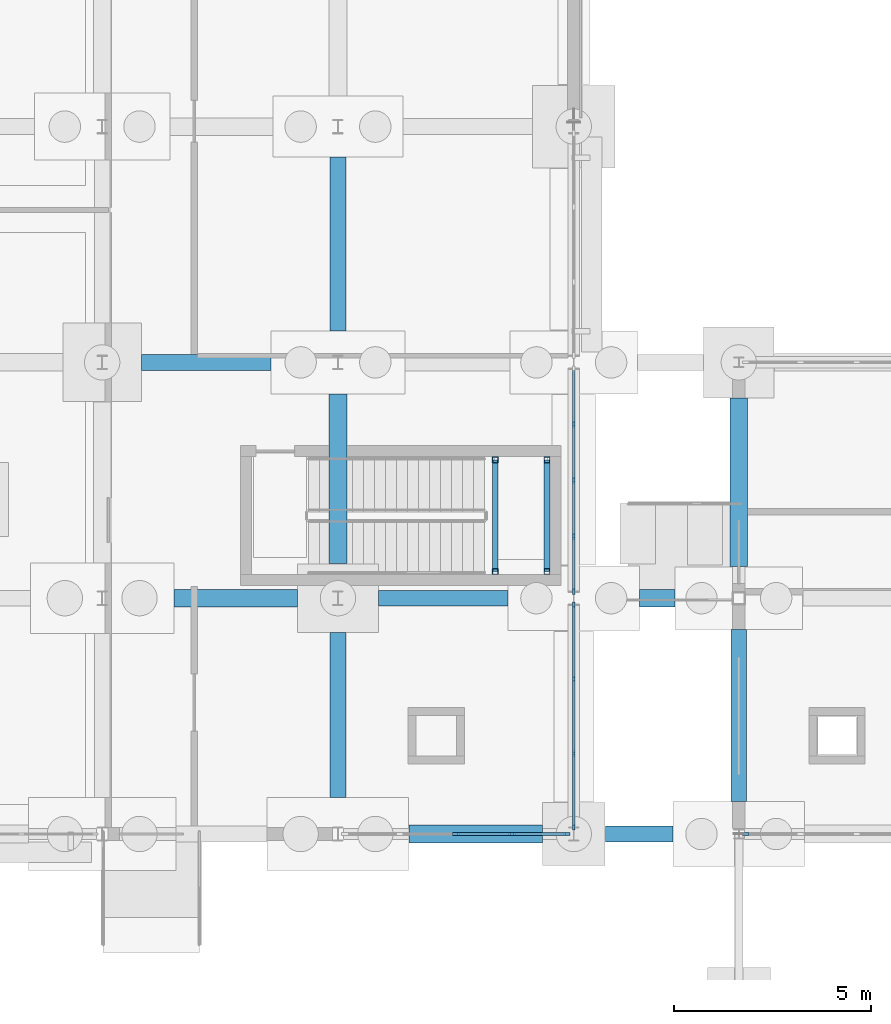
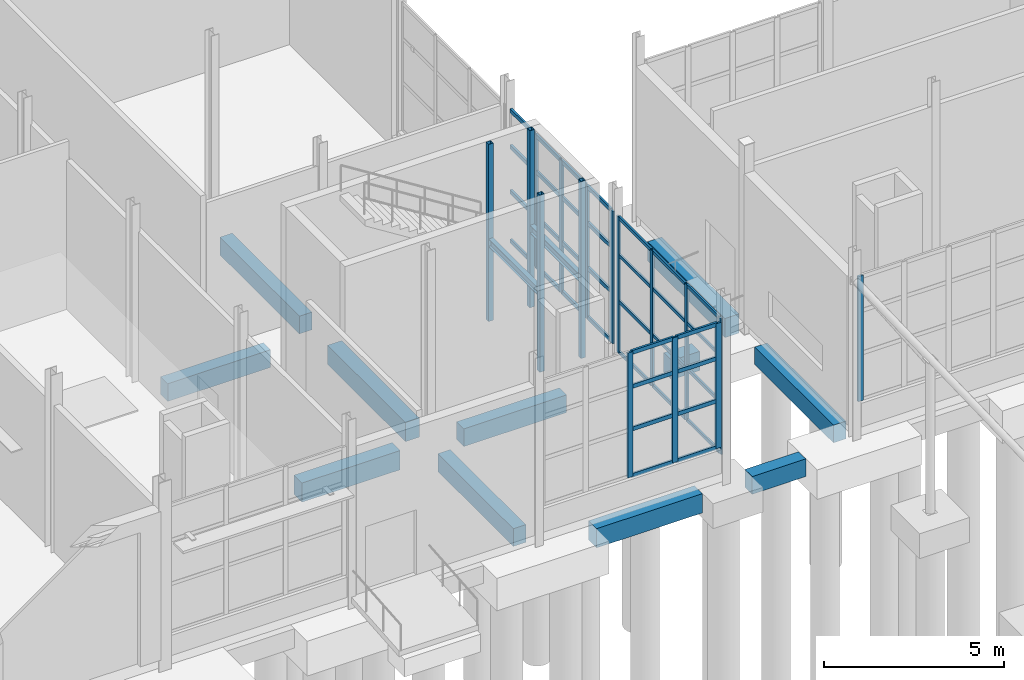
# One storey, part 43 of 120: 52 members, 13 beams, 4 elements without a shape of their own.
"""IFC4 building model written with IfcOpenShell, lengths in metres."""

from ifc_helpers import new_model, si_unit, direction, frame, origin, origin_2d, place, context, subcontext, project, spatial, rectangle, hollow_rectangle, i_section, extrude, material, material_profile, profile_set, type_object, element, aggregate, save


model = new_model("IFC4")

# Units and contexts
model_context = context("Model", 3, precision=1e-05, world=origin(), true_north=direction((0.0, 1.0)))
body_context = subcontext(model_context, "Body", "Model", "MODEL_VIEW")
ifc_project = project(units=[si_unit("LENGTHUNIT", "METRE"), si_unit("AREAUNIT", "SQUARE_METRE"), si_unit("VOLUMEUNIT", "CUBIC_METRE"), si_unit("PLANEANGLEUNIT", "RADIAN"), si_unit("MASSUNIT", "GRAM", prefix="KILO")], contexts=[model_context])

# Site, building, storey
site_placement = place(None, origin())
site = spatial("IfcSite", under=ifc_project, at=site_placement, CompositionType="ELEMENT")
building_placement = place(site_placement, origin())
building = spatial("IfcBuilding", under=site, at=building_placement, Name="Siltcreek Boulevard Central Fire Station", CompositionType="ELEMENT")
storey_placement = place(building_placement, origin())
storey = spatial("IfcBuildingStorey", under=building, at=storey_placement, Name="L01", CompositionType="ELEMENT", Elevation=0.0)

# Members
ifc_material_1 = material(Name="Structural steel ASTM A500 GrC", Category="steel")
ifc_material_profile_1 = material_profile(ifc_material_1, hollow_rectangle(XDim=0.14990234375, YDim=0.14990234375, WallThickness=0.008056640625, at=origin_2d()), Name="HSS150X150X8.0")
ifc_profile_set_1 = profile_set([ifc_material_profile_1], Name="Structural steel ASTM A500 GrC")
member_type_1 = type_object("IfcMemberType", Name="BR_HSS150_8", PredefinedType="BRACE", material=ifc_profile_set_1)
for number, where, z_axis, x_axis, name in (
    (1, (106.0, 24.679931640625, 0.0), (0.0, 0.0, 1.0), (1.0, 0.0, 0.0), "L01 ST-V2B stair landing corner post SW"),
    (2, (106.0, 27.52001953125, 0.0), (0.0, 0.0, 1.0), (1.0, 0.0, 0.0), "L01 ST-V2B stair landing corner post NW"),
    (3, (107.320068359375, 24.679931640625, 0.0), (0.0, 0.0, 1.0), (1.0, 0.0, 0.0), "L01 ST-V2B stair landing corner post SE"),
    (4, (107.320068359375, 27.52001953125, 0.0), (0.0, 0.0, 1.0), (1.0, 0.0, 0.0), "L01 ST-V2B stair landing corner post NE"),
):
    element("IfcMember", number, at=place(storey_placement, frame(where, z_axis=z_axis, x_axis=x_axis)), inside=storey, type_object=member_type_1, Name=name, PredefinedType="BRACE", context=body_context, shape_type="SweptSolid", body=[
        extrude(hollow_rectangle(XDim=0.14990234375, YDim=0.14990234375, WallThickness=0.008056640625, at=origin_2d()), origin(), (0.0, 0.0, 1.0), 6.0),
    ])

# Curtain wall, members
ifc_material_2 = material(Name="Anodized aluminum and low-E insulated glazing", Category="aluminium")
curtain_wall_type_1 = type_object("IfcCurtainWallType", Name="CW_SYS_20", PredefinedType="USERDEFINED", material=ifc_material_2)
curtain_wall_1_placement = place(storey_placement, origin())
curtain_wall_1 = element("IfcCurtainWall", 5, at=curtain_wall_1_placement, inside=storey, type_object=curtain_wall_type_1, Name="L01 V2 unitised curtain wall CW-019", ObjectType="CURTAIN WALL", PredefinedType="USERDEFINED")
ifc_material_3 = material(Name="Anodized 6063-T6 aluminum framing", Category="aluminium")
ifc_material_profile_2 = material_profile(ifc_material_3, rectangle(XDim=0.06005859375, YDim=0.14990234375, at=origin_2d()), Name="MULL60X150")
ifc_profile_set_2 = profile_set([ifc_material_profile_2], Name="Anodized 6063-T6 aluminum framing")
member_type_2 = type_object("IfcMemberType", Name="CWM_60X150", PredefinedType="MULLION", material=ifc_profile_set_2)
member_1_placement = place(storey_placement, frame((108.0, 18.175048828125, 0.43994140625), z_axis=(0.0, 0.0, 1.0), x_axis=(-1.0, 0.0, 0.0)))
member_1 = element("IfcMember", 6, at=member_1_placement, type_object=member_type_2, Name="CW-019 mullion 1", PredefinedType="MULLION", context=body_context, shape_type="SweptSolid", body=[
    extrude(rectangle(XDim=0.06005859375, YDim=0.14990234375, at=origin_2d()), origin(), (0.0, 0.0, 1.0), 4.60400390625),
])
member_2_placement = place(storey_placement, frame((108.0, 20.04833984375, 0.43994140625), z_axis=(0.0, 0.0, 1.0), x_axis=(-1.0, 0.0, 0.0)))
member_2 = element("IfcMember", 7, at=member_2_placement, type_object=member_type_2, Name="CW-019 mullion 2", PredefinedType="MULLION", context=body_context, shape_type="SweptSolid", body=[
    extrude(rectangle(XDim=0.06005859375, YDim=0.14990234375, at=origin_2d()), origin(), (0.0, 0.0, 1.0), 4.60400390625),
])
member_3_placement = place(storey_placement, frame((108.0, 21.95166015625, 0.43994140625), z_axis=(0.0, 0.0, 1.0), x_axis=(-1.0, 0.0, 0.0)))
member_3 = element("IfcMember", 8, at=member_3_placement, type_object=member_type_2, Name="CW-019 mullion 3", PredefinedType="MULLION", context=body_context, shape_type="SweptSolid", body=[
    extrude(rectangle(XDim=0.06005859375, YDim=0.14990234375, at=origin_2d()), origin(), (0.0, 0.0, 1.0), 4.60400390625),
])
member_4_placement = place(storey_placement, frame((108.0, 23.824951171875, 0.43994140625), z_axis=(0.0, 0.0, 1.0), x_axis=(-1.0, 0.0, 0.0)))
member_4 = element("IfcMember", 9, at=member_4_placement, type_object=member_type_2, Name="CW-019 mullion 4", PredefinedType="MULLION", context=body_context, shape_type="SweptSolid", body=[
    extrude(rectangle(XDim=0.06005859375, YDim=0.14990234375, at=origin_2d()), origin(), (0.0, 0.0, 1.0), 4.60400390625),
])

curtain_wall_type_2 = type_object("IfcCurtainWallType", Name="CW_SYS_17", PredefinedType="USERDEFINED", material=ifc_material_2)
curtain_wall_2_placement = place(storey_placement, origin())
curtain_wall_2 = element("IfcCurtainWall", 10, at=curtain_wall_2_placement, inside=storey, type_object=curtain_wall_type_2, Name="L01 V2 unitised curtain wall CW-016", ObjectType="CURTAIN WALL", PredefinedType="USERDEFINED")
ifc_material_profile_3 = material_profile(ifc_material_3, rectangle(XDim=0.06494140625, YDim=0.175048828125, at=origin_2d()), Name="MULL65X175")
ifc_profile_set_3 = profile_set([ifc_material_profile_3], Name="Anodized 6063-T6 aluminum framing")
member_type_3 = type_object("IfcMemberType", Name="CWM_65X175", PredefinedType="MULLION", material=ifc_profile_set_3)
member_5_placement = place(storey_placement, frame((105.0, 18.0, 0.800048828125), z_axis=(0.0, 0.0, 1.0), x_axis=(0.0, 1.0, 0.0)))
member_5 = element("IfcMember", 11, at=member_5_placement, type_object=member_type_3, Name="CW-016 mullion 3", PredefinedType="MULLION", context=body_context, shape_type="SweptSolid", body=[
    extrude(rectangle(XDim=0.06494140625, YDim=0.175048828125, at=origin_2d()), origin(), (0.0, 0.0, 1.0), 4.23486328125),
])
member_6_placement = place(storey_placement, frame((106.427490234375, 18.0, 0.800048828125), z_axis=(0.0, 0.0, 1.0), x_axis=(0.0, 1.0, 0.0)))
member_6 = element("IfcMember", 12, at=member_6_placement, type_object=member_type_3, Name="CW-016 mullion 4", PredefinedType="MULLION", context=body_context, shape_type="SweptSolid", body=[
    extrude(rectangle(XDim=0.06494140625, YDim=0.175048828125, at=origin_2d()), origin(), (0.0, 0.0, 1.0), 4.23486328125),
])
member_7_placement = place(storey_placement, frame((107.822509765625, 18.0, 0.800048828125), z_axis=(0.0, 0.0, 1.0), x_axis=(0.0, 1.0, 0.0)))
member_7 = element("IfcMember", 13, at=member_7_placement, type_object=member_type_3, Name="CW-016 mullion 5", PredefinedType="MULLION", context=body_context, shape_type="SweptSolid", body=[
    extrude(rectangle(XDim=0.06494140625, YDim=0.175048828125, at=origin_2d()), origin(), (0.0, 0.0, 1.0), 4.23486328125),
])

curtain_wall_type_3 = type_object("IfcCurtainWallType", Name="CW_SYS_21", PredefinedType="USERDEFINED", material=ifc_material_2)
curtain_wall_3_placement = place(storey_placement, origin())
curtain_wall_3 = element("IfcCurtainWall", 14, at=curtain_wall_3_placement, inside=storey, type_object=curtain_wall_type_3, Name="L01 V2 unitised curtain wall CW-020", ObjectType="CURTAIN WALL", PredefinedType="USERDEFINED")
member_8_placement = place(storey_placement, frame((108.0, 24.177490234375, 0.56005859375), z_axis=(0.0, 0.0, 1.0), x_axis=(-1.0, 0.0, 0.0)))
member_8 = element("IfcMember", 15, at=member_8_placement, type_object=member_type_3, Name="CW-020 mullion 1", PredefinedType="MULLION", context=body_context, shape_type="SweptSolid", body=[
    extrude(rectangle(XDim=0.06494140625, YDim=0.175048828125, at=origin_2d()), origin(), (0.0, 0.0, 1.0), 4.48388671875),
])
member_9_placement = place(storey_placement, frame((108.0, 25.572509765625, 0.56005859375), z_axis=(0.0, 0.0, 1.0), x_axis=(-1.0, 0.0, 0.0)))
member_9 = element("IfcMember", 16, at=member_9_placement, type_object=member_type_3, Name="CW-020 mullion 2", PredefinedType="MULLION", context=body_context, shape_type="SweptSolid", body=[
    extrude(rectangle(XDim=0.06494140625, YDim=0.175048828125, at=origin_2d()), origin(), (0.0, 0.0, 1.0), 4.48388671875),
])
member_10_placement = place(storey_placement, frame((108.0, 27.0, 0.56005859375), z_axis=(0.0, 0.0, 1.0), x_axis=(-1.0, 0.0, 0.0)))
member_10 = element("IfcMember", 17, at=member_10_placement, type_object=member_type_3, Name="CW-020 mullion 3", PredefinedType="MULLION", context=body_context, shape_type="SweptSolid", body=[
    extrude(rectangle(XDim=0.06494140625, YDim=0.175048828125, at=origin_2d()), origin(), (0.0, 0.0, 1.0), 4.48388671875),
])
member_11_placement = place(storey_placement, frame((108.0, 28.427490234375, 0.56005859375), z_axis=(0.0, 0.0, 1.0), x_axis=(-1.0, 0.0, 0.0)))
member_11 = element("IfcMember", 18, at=member_11_placement, type_object=member_type_3, Name="CW-020 mullion 4", PredefinedType="MULLION", context=body_context, shape_type="SweptSolid", body=[
    extrude(rectangle(XDim=0.06494140625, YDim=0.175048828125, at=origin_2d()), origin(), (0.0, 0.0, 1.0), 4.48388671875),
])

# Curtain wall, member
curtain_wall_type_4 = type_object("IfcCurtainWallType", Name="CW_SYS_11", PredefinedType="USERDEFINED", material=ifc_material_2)
curtain_wall_4_placement = place(storey_placement, origin())
curtain_wall_4 = element("IfcCurtainWall", 19, at=curtain_wall_4_placement, inside=storey, type_object=curtain_wall_type_4, Name="L01 V6 unitised curtain wall CW-190", ObjectType="CURTAIN WALL", PredefinedType="USERDEFINED")
member_12_placement = place(storey_placement, frame((112.37744140625, 18.0, 0.800048828125), z_axis=(0.0, 0.0, 1.0), x_axis=(0.0, 1.0, 0.0)))
member_12 = element("IfcMember", 20, at=member_12_placement, type_object=member_type_3, Name="CW-190 mullion 1", PredefinedType="MULLION", context=body_context, shape_type="SweptSolid", body=[
    extrude(rectangle(XDim=0.06494140625, YDim=0.175048828125, at=origin_2d()), origin(), (0.0, 0.0, 1.0), 4.23486328125),
])
aggregate(curtain_wall_4, [member_12])

# Member
ifc_material_profile_4 = material_profile(ifc_material_3, rectangle(XDim=0.06005859375, YDim=0.114990234375, at=origin_2d()), Name="TRAN60X115")
ifc_profile_set_4 = profile_set([ifc_material_profile_4], Name="Anodized 6063-T6 aluminum framing")
member_type_4 = type_object("IfcMemberType", Name="CWT_60X115", PredefinedType="USERDEFINED", material=ifc_profile_set_4)
member_13_placement = place(storey_placement, frame((108.0, 18.205078125, 0.469970703125), z_axis=(0.0, 1.0, 0.0), x_axis=(-1.0, 0.0, 0.0)))
member_13 = element("IfcMember", 21, at=member_13_placement, type_object=member_type_4, Name="CW-019 transom 1.1", ObjectType="TRANSOM", PredefinedType="USERDEFINED", context=body_context, shape_type="SweptSolid", body=[
    extrude(rectangle(XDim=0.06005859375, YDim=0.114990234375, at=origin_2d()), origin(), (0.0, 0.0, 1.0), 1.813232421875),
])

member_14_placement = place(storey_placement, frame((108.0, 18.205078125, 2.189453125), z_axis=(0.0, 1.0, 0.0), x_axis=(-1.0, 0.0, 0.0)))
member_14 = element("IfcMember", 22, at=member_14_placement, type_object=member_type_4, Name="CW-019 transom 1.2", ObjectType="TRANSOM", PredefinedType="USERDEFINED", context=body_context, shape_type="SweptSolid", body=[
    extrude(rectangle(XDim=0.06005859375, YDim=0.114990234375, at=origin_2d()), origin(), (0.0, 0.0, 1.0), 1.813232421875),
])

member_15_placement = place(storey_placement, frame((108.0, 18.205078125, 3.7548828125), z_axis=(0.0, 1.0, 0.0), x_axis=(-1.0, 0.0, 0.0)))
member_15 = element("IfcMember", 23, at=member_15_placement, type_object=member_type_4, Name="CW-019 transom 1.3", ObjectType="TRANSOM", PredefinedType="USERDEFINED", context=body_context, shape_type="SweptSolid", body=[
    extrude(rectangle(XDim=0.06005859375, YDim=0.114990234375, at=origin_2d()), origin(), (0.0, 0.0, 1.0), 1.813232421875),
])

member_16_placement = place(storey_placement, frame((108.0, 18.205078125, 5.013916015625), z_axis=(0.0, 1.0, 0.0), x_axis=(-1.0, 0.0, 0.0)))
member_16 = element("IfcMember", 24, at=member_16_placement, type_object=member_type_4, Name="CW-019 transom 1.4", ObjectType="TRANSOM", PredefinedType="USERDEFINED", context=body_context, shape_type="SweptSolid", body=[
    extrude(rectangle(XDim=0.06005859375, YDim=0.114990234375, at=origin_2d()), origin(), (0.0, 0.0, 1.0), 1.813232421875),
])

member_17_placement = place(storey_placement, frame((108.0, 20.078369140625, 0.469970703125), z_axis=(0.0, 1.0, 0.0), x_axis=(-1.0, 0.0, 0.0)))
member_17 = element("IfcMember", 25, at=member_17_placement, type_object=member_type_4, Name="CW-019 transom 2.1", ObjectType="TRANSOM", PredefinedType="USERDEFINED", context=body_context, shape_type="SweptSolid", body=[
    extrude(rectangle(XDim=0.06005859375, YDim=0.114990234375, at=origin_2d()), origin(), (0.0, 0.0, 1.0), 1.84326171875),
])

member_18_placement = place(storey_placement, frame((108.0, 20.078369140625, 2.189453125), z_axis=(0.0, 1.0, 0.0), x_axis=(-1.0, 0.0, 0.0)))
member_18 = element("IfcMember", 26, at=member_18_placement, type_object=member_type_4, Name="CW-019 transom 2.2", ObjectType="TRANSOM", PredefinedType="USERDEFINED", context=body_context, shape_type="SweptSolid", body=[
    extrude(rectangle(XDim=0.06005859375, YDim=0.114990234375, at=origin_2d()), origin(), (0.0, 0.0, 1.0), 1.84326171875),
])

member_19_placement = place(storey_placement, frame((108.0, 20.078369140625, 3.7548828125), z_axis=(0.0, 1.0, 0.0), x_axis=(-1.0, 0.0, 0.0)))
member_19 = element("IfcMember", 27, at=member_19_placement, type_object=member_type_4, Name="CW-019 transom 2.3", ObjectType="TRANSOM", PredefinedType="USERDEFINED", context=body_context, shape_type="SweptSolid", body=[
    extrude(rectangle(XDim=0.06005859375, YDim=0.114990234375, at=origin_2d()), origin(), (0.0, 0.0, 1.0), 1.84326171875),
])

member_20_placement = place(storey_placement, frame((108.0, 20.078369140625, 5.013916015625), z_axis=(0.0, 1.0, 0.0), x_axis=(-1.0, 0.0, 0.0)))
member_20 = element("IfcMember", 28, at=member_20_placement, type_object=member_type_4, Name="CW-019 transom 2.4", ObjectType="TRANSOM", PredefinedType="USERDEFINED", context=body_context, shape_type="SweptSolid", body=[
    extrude(rectangle(XDim=0.06005859375, YDim=0.114990234375, at=origin_2d()), origin(), (0.0, 0.0, 1.0), 1.84326171875),
])

member_21_placement = place(storey_placement, frame((108.0, 21.981689453125, 0.469970703125), z_axis=(0.0, 1.0, 0.0), x_axis=(-1.0, 0.0, 0.0)))
member_21 = element("IfcMember", 29, at=member_21_placement, type_object=member_type_4, Name="CW-019 transom 3.1", ObjectType="TRANSOM", PredefinedType="USERDEFINED", context=body_context, shape_type="SweptSolid", body=[
    extrude(rectangle(XDim=0.06005859375, YDim=0.114990234375, at=origin_2d()), origin(), (0.0, 0.0, 1.0), 1.813232421875),
])

member_22_placement = place(storey_placement, frame((108.0, 21.981689453125, 2.189453125), z_axis=(0.0, 1.0, 0.0), x_axis=(-1.0, 0.0, 0.0)))
member_22 = element("IfcMember", 30, at=member_22_placement, type_object=member_type_4, Name="CW-019 transom 3.2", ObjectType="TRANSOM", PredefinedType="USERDEFINED", context=body_context, shape_type="SweptSolid", body=[
    extrude(rectangle(XDim=0.06005859375, YDim=0.114990234375, at=origin_2d()), origin(), (0.0, 0.0, 1.0), 1.813232421875),
])

member_23_placement = place(storey_placement, frame((108.0, 21.981689453125, 3.7548828125), z_axis=(0.0, 1.0, 0.0), x_axis=(-1.0, 0.0, 0.0)))
member_23 = element("IfcMember", 31, at=member_23_placement, type_object=member_type_4, Name="CW-019 transom 3.3", ObjectType="TRANSOM", PredefinedType="USERDEFINED", context=body_context, shape_type="SweptSolid", body=[
    extrude(rectangle(XDim=0.06005859375, YDim=0.114990234375, at=origin_2d()), origin(), (0.0, 0.0, 1.0), 1.813232421875),
])

member_24_placement = place(storey_placement, frame((108.0, 21.981689453125, 5.013916015625), z_axis=(0.0, 1.0, 0.0), x_axis=(-1.0, 0.0, 0.0)))
member_24 = element("IfcMember", 32, at=member_24_placement, type_object=member_type_4, Name="CW-019 transom 3.4", ObjectType="TRANSOM", PredefinedType="USERDEFINED", context=body_context, shape_type="SweptSolid", body=[
    extrude(rectangle(XDim=0.06005859375, YDim=0.114990234375, at=origin_2d()), origin(), (0.0, 0.0, 1.0), 1.813232421875),
])

aggregate(curtain_wall_1, [member_1, member_2, member_3, member_4, member_13, member_14, member_15, member_16, member_17, member_18, member_19, member_20, member_21, member_22, member_23, member_24])

ifc_material_profile_5 = material_profile(ifc_material_3, rectangle(XDim=0.06494140625, YDim=0.135009765625, at=origin_2d()), Name="TRAN65X135")
ifc_profile_set_5 = profile_set([ifc_material_profile_5], Name="Anodized 6063-T6 aluminum framing")
member_type_5 = type_object("IfcMemberType", Name="CWT_65X135", PredefinedType="USERDEFINED", material=ifc_profile_set_5)
member_25_placement = place(storey_placement, frame((105.032470703125, 18.0, 0.83251953125), z_axis=(1.0, 0.0, 0.0), x_axis=(0.0, 1.0, 0.0)))
member_25 = element("IfcMember", 33, at=member_25_placement, type_object=member_type_5, Name="CW-016 transom 3.1", ObjectType="TRANSOM", PredefinedType="USERDEFINED", context=body_context, shape_type="SweptSolid", body=[
    extrude(rectangle(XDim=0.06494140625, YDim=0.135009765625, at=origin_2d()), origin(), (0.0, 0.0, 1.0), 1.362548828125),
])

member_26_placement = place(storey_placement, frame((105.032470703125, 18.0, 2.4091796875), z_axis=(1.0, 0.0, 0.0), x_axis=(0.0, 1.0, 0.0)))
member_26 = element("IfcMember", 34, at=member_26_placement, type_object=member_type_5, Name="CW-016 transom 3.2", ObjectType="TRANSOM", PredefinedType="USERDEFINED", context=body_context, shape_type="SweptSolid", body=[
    extrude(rectangle(XDim=0.06494140625, YDim=0.135009765625, at=origin_2d()), origin(), (0.0, 0.0, 1.0), 1.362548828125),
])

member_27_placement = place(storey_placement, frame((105.032470703125, 18.0, 3.84912109375), z_axis=(1.0, 0.0, 0.0), x_axis=(0.0, 1.0, 0.0)))
member_27 = element("IfcMember", 35, at=member_27_placement, type_object=member_type_5, Name="CW-016 transom 3.3", ObjectType="TRANSOM", PredefinedType="USERDEFINED", context=body_context, shape_type="SweptSolid", body=[
    extrude(rectangle(XDim=0.06494140625, YDim=0.135009765625, at=origin_2d()), origin(), (0.0, 0.0, 1.0), 1.362548828125),
])

member_28_placement = place(storey_placement, frame((105.032470703125, 18.0, 5.00244140625), z_axis=(1.0, 0.0, 0.0), x_axis=(0.0, 1.0, 0.0)))
member_28 = element("IfcMember", 36, at=member_28_placement, type_object=member_type_5, Name="CW-016 transom 3.4", ObjectType="TRANSOM", PredefinedType="USERDEFINED", context=body_context, shape_type="SweptSolid", body=[
    extrude(rectangle(XDim=0.06494140625, YDim=0.135009765625, at=origin_2d()), origin(), (0.0, 0.0, 1.0), 1.362548828125),
])

member_29_placement = place(storey_placement, frame((106.4599609375, 18.0, 0.83251953125), z_axis=(1.0, 0.0, 0.0), x_axis=(0.0, 1.0, 0.0)))
member_29 = element("IfcMember", 37, at=member_29_placement, type_object=member_type_5, Name="CW-016 transom 4.1", ObjectType="TRANSOM", PredefinedType="USERDEFINED", context=body_context, shape_type="SweptSolid", body=[
    extrude(rectangle(XDim=0.06494140625, YDim=0.135009765625, at=origin_2d()), origin(), (0.0, 0.0, 1.0), 1.330078125),
])

member_30_placement = place(storey_placement, frame((106.4599609375, 18.0, 2.4091796875), z_axis=(1.0, 0.0, 0.0), x_axis=(0.0, 1.0, 0.0)))
member_30 = element("IfcMember", 38, at=member_30_placement, type_object=member_type_5, Name="CW-016 transom 4.2", ObjectType="TRANSOM", PredefinedType="USERDEFINED", context=body_context, shape_type="SweptSolid", body=[
    extrude(rectangle(XDim=0.06494140625, YDim=0.135009765625, at=origin_2d()), origin(), (0.0, 0.0, 1.0), 1.330078125),
])

member_31_placement = place(storey_placement, frame((106.4599609375, 18.0, 3.84912109375), z_axis=(1.0, 0.0, 0.0), x_axis=(0.0, 1.0, 0.0)))
member_31 = element("IfcMember", 39, at=member_31_placement, type_object=member_type_5, Name="CW-016 transom 4.3", ObjectType="TRANSOM", PredefinedType="USERDEFINED", context=body_context, shape_type="SweptSolid", body=[
    extrude(rectangle(XDim=0.06494140625, YDim=0.135009765625, at=origin_2d()), origin(), (0.0, 0.0, 1.0), 1.330078125),
])

member_32_placement = place(storey_placement, frame((106.4599609375, 18.0, 5.00244140625), z_axis=(1.0, 0.0, 0.0), x_axis=(0.0, 1.0, 0.0)))
member_32 = element("IfcMember", 40, at=member_32_placement, type_object=member_type_5, Name="CW-016 transom 4.4", ObjectType="TRANSOM", PredefinedType="USERDEFINED", context=body_context, shape_type="SweptSolid", body=[
    extrude(rectangle(XDim=0.06494140625, YDim=0.135009765625, at=origin_2d()), origin(), (0.0, 0.0, 1.0), 1.330078125),
])

aggregate(curtain_wall_2, [member_5, member_6, member_7, member_25, member_26, member_27, member_28, member_29, member_30, member_31, member_32])

member_33_placement = place(storey_placement, frame((108.0, 24.2099609375, 0.592529296875), z_axis=(0.0, 1.0, 0.0), x_axis=(-1.0, 0.0, 0.0)))
member_33 = element("IfcMember", 41, at=member_33_placement, type_object=member_type_5, Name="CW-020 transom 1.1", ObjectType="TRANSOM", PredefinedType="USERDEFINED", context=body_context, shape_type="SweptSolid", body=[
    extrude(rectangle(XDim=0.06494140625, YDim=0.135009765625, at=origin_2d()), origin(), (0.0, 0.0, 1.0), 1.330078125),
])

member_34_placement = place(storey_placement, frame((108.0, 24.2099609375, 2.263916015625), z_axis=(0.0, 1.0, 0.0), x_axis=(-1.0, 0.0, 0.0)))
member_34 = element("IfcMember", 42, at=member_34_placement, type_object=member_type_5, Name="CW-020 transom 1.2", ObjectType="TRANSOM", PredefinedType="USERDEFINED", context=body_context, shape_type="SweptSolid", body=[
    extrude(rectangle(XDim=0.06494140625, YDim=0.135009765625, at=origin_2d()), origin(), (0.0, 0.0, 1.0), 1.330078125),
])

member_35_placement = place(storey_placement, frame((108.0, 24.2099609375, 3.78857421875), z_axis=(0.0, 1.0, 0.0), x_axis=(-1.0, 0.0, 0.0)))
member_35 = element("IfcMember", 43, at=member_35_placement, type_object=member_type_5, Name="CW-020 transom 1.3", ObjectType="TRANSOM", PredefinedType="USERDEFINED", context=body_context, shape_type="SweptSolid", body=[
    extrude(rectangle(XDim=0.06494140625, YDim=0.135009765625, at=origin_2d()), origin(), (0.0, 0.0, 1.0), 1.330078125),
])

member_36_placement = place(storey_placement, frame((108.0, 24.2099609375, 5.011474609375), z_axis=(0.0, 1.0, 0.0), x_axis=(-1.0, 0.0, 0.0)))
member_36 = element("IfcMember", 44, at=member_36_placement, type_object=member_type_5, Name="CW-020 transom 1.4", ObjectType="TRANSOM", PredefinedType="USERDEFINED", context=body_context, shape_type="SweptSolid", body=[
    extrude(rectangle(XDim=0.06494140625, YDim=0.135009765625, at=origin_2d()), origin(), (0.0, 0.0, 1.0), 1.330078125),
])

member_37_placement = place(storey_placement, frame((108.0, 25.60498046875, 0.592529296875), z_axis=(0.0, 1.0, 0.0), x_axis=(-1.0, 0.0, 0.0)))
member_37 = element("IfcMember", 45, at=member_37_placement, type_object=member_type_5, Name="CW-020 transom 2.1", ObjectType="TRANSOM", PredefinedType="USERDEFINED", context=body_context, shape_type="SweptSolid", body=[
    extrude(rectangle(XDim=0.06494140625, YDim=0.135009765625, at=origin_2d()), origin(), (0.0, 0.0, 1.0), 1.362548828125),
])

member_38_placement = place(storey_placement, frame((108.0, 25.60498046875, 2.263916015625), z_axis=(0.0, 1.0, 0.0), x_axis=(-1.0, 0.0, 0.0)))
member_38 = element("IfcMember", 46, at=member_38_placement, type_object=member_type_5, Name="CW-020 transom 2.2", ObjectType="TRANSOM", PredefinedType="USERDEFINED", context=body_context, shape_type="SweptSolid", body=[
    extrude(rectangle(XDim=0.06494140625, YDim=0.135009765625, at=origin_2d()), origin(), (0.0, 0.0, 1.0), 1.362548828125),
])

member_39_placement = place(storey_placement, frame((108.0, 25.60498046875, 3.78857421875), z_axis=(0.0, 1.0, 0.0), x_axis=(-1.0, 0.0, 0.0)))
member_39 = element("IfcMember", 47, at=member_39_placement, type_object=member_type_5, Name="CW-020 transom 2.3", ObjectType="TRANSOM", PredefinedType="USERDEFINED", context=body_context, shape_type="SweptSolid", body=[
    extrude(rectangle(XDim=0.06494140625, YDim=0.135009765625, at=origin_2d()), origin(), (0.0, 0.0, 1.0), 1.362548828125),
])

member_40_placement = place(storey_placement, frame((108.0, 25.60498046875, 5.011474609375), z_axis=(0.0, 1.0, 0.0), x_axis=(-1.0, 0.0, 0.0)))
member_40 = element("IfcMember", 48, at=member_40_placement, type_object=member_type_5, Name="CW-020 transom 2.4", ObjectType="TRANSOM", PredefinedType="USERDEFINED", context=body_context, shape_type="SweptSolid", body=[
    extrude(rectangle(XDim=0.06494140625, YDim=0.135009765625, at=origin_2d()), origin(), (0.0, 0.0, 1.0), 1.362548828125),
])

member_41_placement = place(storey_placement, frame((108.0, 27.032470703125, 0.592529296875), z_axis=(0.0, 1.0, 0.0), x_axis=(-1.0, 0.0, 0.0)))
member_41 = element("IfcMember", 49, at=member_41_placement, type_object=member_type_5, Name="CW-020 transom 3.1", ObjectType="TRANSOM", PredefinedType="USERDEFINED", context=body_context, shape_type="SweptSolid", body=[
    extrude(rectangle(XDim=0.06494140625, YDim=0.135009765625, at=origin_2d()), origin(), (0.0, 0.0, 1.0), 1.362548828125),
])

member_42_placement = place(storey_placement, frame((108.0, 27.032470703125, 2.263916015625), z_axis=(0.0, 1.0, 0.0), x_axis=(-1.0, 0.0, 0.0)))
member_42 = element("IfcMember", 50, at=member_42_placement, type_object=member_type_5, Name="CW-020 transom 3.2", ObjectType="TRANSOM", PredefinedType="USERDEFINED", context=body_context, shape_type="SweptSolid", body=[
    extrude(rectangle(XDim=0.06494140625, YDim=0.135009765625, at=origin_2d()), origin(), (0.0, 0.0, 1.0), 1.362548828125),
])

member_43_placement = place(storey_placement, frame((108.0, 27.032470703125, 3.78857421875), z_axis=(0.0, 1.0, 0.0), x_axis=(-1.0, 0.0, 0.0)))
member_43 = element("IfcMember", 51, at=member_43_placement, type_object=member_type_5, Name="CW-020 transom 3.3", ObjectType="TRANSOM", PredefinedType="USERDEFINED", context=body_context, shape_type="SweptSolid", body=[
    extrude(rectangle(XDim=0.06494140625, YDim=0.135009765625, at=origin_2d()), origin(), (0.0, 0.0, 1.0), 1.362548828125),
])

member_44_placement = place(storey_placement, frame((108.0, 27.032470703125, 5.011474609375), z_axis=(0.0, 1.0, 0.0), x_axis=(-1.0, 0.0, 0.0)))
member_44 = element("IfcMember", 52, at=member_44_placement, type_object=member_type_5, Name="CW-020 transom 3.4", ObjectType="TRANSOM", PredefinedType="USERDEFINED", context=body_context, shape_type="SweptSolid", body=[
    extrude(rectangle(XDim=0.06494140625, YDim=0.135009765625, at=origin_2d()), origin(), (0.0, 0.0, 1.0), 1.362548828125),
])

member_45_placement = place(storey_placement, frame((108.0, 28.4599609375, 0.592529296875), z_axis=(0.0, 1.0, 0.0), x_axis=(-1.0, 0.0, 0.0)))
member_45 = element("IfcMember", 53, at=member_45_placement, type_object=member_type_5, Name="CW-020 transom 4.1", ObjectType="TRANSOM", PredefinedType="USERDEFINED", context=body_context, shape_type="SweptSolid", body=[
    extrude(rectangle(XDim=0.06494140625, YDim=0.135009765625, at=origin_2d()), origin(), (0.0, 0.0, 1.0), 1.330078125),
])

member_46_placement = place(storey_placement, frame((108.0, 28.4599609375, 2.263916015625), z_axis=(0.0, 1.0, 0.0), x_axis=(-1.0, 0.0, 0.0)))
member_46 = element("IfcMember", 54, at=member_46_placement, type_object=member_type_5, Name="CW-020 transom 4.2", ObjectType="TRANSOM", PredefinedType="USERDEFINED", context=body_context, shape_type="SweptSolid", body=[
    extrude(rectangle(XDim=0.06494140625, YDim=0.135009765625, at=origin_2d()), origin(), (0.0, 0.0, 1.0), 1.330078125),
])

member_47_placement = place(storey_placement, frame((108.0, 28.4599609375, 3.78857421875), z_axis=(0.0, 1.0, 0.0), x_axis=(-1.0, 0.0, 0.0)))
member_47 = element("IfcMember", 55, at=member_47_placement, type_object=member_type_5, Name="CW-020 transom 4.3", ObjectType="TRANSOM", PredefinedType="USERDEFINED", context=body_context, shape_type="SweptSolid", body=[
    extrude(rectangle(XDim=0.06494140625, YDim=0.135009765625, at=origin_2d()), origin(), (0.0, 0.0, 1.0), 1.330078125),
])

member_48_placement = place(storey_placement, frame((108.0, 28.4599609375, 5.011474609375), z_axis=(0.0, 1.0, 0.0), x_axis=(-1.0, 0.0, 0.0)))
member_48 = element("IfcMember", 56, at=member_48_placement, type_object=member_type_5, Name="CW-020 transom 4.4", ObjectType="TRANSOM", PredefinedType="USERDEFINED", context=body_context, shape_type="SweptSolid", body=[
    extrude(rectangle(XDim=0.06494140625, YDim=0.135009765625, at=origin_2d()), origin(), (0.0, 0.0, 1.0), 1.330078125),
])

aggregate(curtain_wall_3, [member_8, member_9, member_10, member_11, member_33, member_34, member_35, member_36, member_37, member_38, member_39, member_40, member_41, member_42, member_43, member_44, member_45, member_46, member_47, member_48])

# Beams
ifc_material_4 = material(Name="Concrete C35/45", Category="concrete")
ifc_material_profile_6 = material_profile(ifc_material_4, rectangle(XDim=0.39990234375, YDim=0.60009765625, at=origin_2d()), Name="RC400X600")
ifc_profile_set_6 = profile_set([ifc_material_profile_6], Name="Concrete C35/45")
beam_type_1 = type_object("IfcBeamType", Name="GB_RC400X600", PredefinedType="USERDEFINED", material=ifc_profile_set_6)
beam_1_placement = place(storey_placement, frame((108.802001953125, 18.0, -0.7099609375), z_axis=(1.0, 0.0, 0.0), x_axis=(0.0, 1.0, 0.0)))
element("IfcBeam", 57, at=beam_1_placement, inside=storey, type_object=beam_type_1, Name="Reinforced concrete tie grade beam GB-041", ObjectType="GRADE BEAM", PredefinedType="USERDEFINED", context=body_context, shape_type="SweptSolid", body=[
    extrude(rectangle(XDim=0.39990234375, YDim=0.60009765625, at=origin_2d()), origin(), (0.0, 0.0, 1.0), 1.720947265625),
])
beam_2_placement = place(storey_placement, frame((103.027099609375, 24.0, -0.7099609375), z_axis=(1.0, 0.0, 0.0), x_axis=(0.0, 1.0, 0.0)))
element("IfcBeam", 58, at=beam_2_placement, inside=storey, type_object=beam_type_1, Name="Reinforced concrete tie grade beam GB-055", ObjectType="GRADE BEAM", PredefinedType="USERDEFINED", context=body_context, shape_type="SweptSolid", body=[
    extrude(rectangle(XDim=0.39990234375, YDim=0.60009765625, at=origin_2d()), origin(), (0.0, 0.0, 1.0), 3.2958984375),
])
beam_3_placement = place(storey_placement, frame((97.001953125, 30.0, -0.7099609375), z_axis=(1.0, 0.0, 0.0), x_axis=(0.0, 1.0, 0.0)))
element("IfcBeam", 59, at=beam_3_placement, inside=storey, type_object=beam_type_1, Name="Reinforced concrete tie grade beam GB-069", ObjectType="GRADE BEAM", PredefinedType="USERDEFINED", context=body_context, shape_type="SweptSolid", body=[
    extrude(rectangle(XDim=0.39990234375, YDim=0.60009765625, at=origin_2d()), origin(), (0.0, 0.0, 1.0), 3.296142578125),
])
beam_4_placement = place(storey_placement, frame((102.0, 18.927001953125, -0.7099609375), z_axis=(0.0, 1.0, 0.0), x_axis=(-1.0, 0.0, 0.0)))
element("IfcBeam", 60, at=beam_4_placement, inside=storey, type_object=beam_type_1, Name="Reinforced concrete tie grade beam GB-197", ObjectType="GRADE BEAM", PredefinedType="USERDEFINED", context=body_context, shape_type="SweptSolid", body=[
    extrude(rectangle(XDim=0.39990234375, YDim=0.60009765625, at=origin_2d()), origin(), (0.0, 0.0, 1.0), 4.196044921875),
])
beam_5_placement = place(storey_placement, frame((102.0, 30.802001953125, -0.7099609375), z_axis=(0.0, 1.0, 0.0), x_axis=(-1.0, 0.0, 0.0)))
element("IfcBeam", 61, at=beam_5_placement, inside=storey, type_object=beam_type_1, Name="Reinforced concrete tie grade beam GB-199", ObjectType="GRADE BEAM", PredefinedType="USERDEFINED", context=body_context, shape_type="SweptSolid", body=[
    extrude(rectangle(XDim=0.39990234375, YDim=0.60009765625, at=origin_2d()), origin(), (0.0, 0.0, 1.0), 4.4208984375),
])
beam_6_placement = place(storey_placement, frame((112.199951171875, 18.826904296875, -0.7099609375), z_axis=(0.0, 1.0, 0.0), x_axis=(-1.0, 0.0, 0.0)))
element("IfcBeam", 62, at=beam_6_placement, inside=storey, type_object=beam_type_1, Name="Reinforced concrete tie grade beam GB-203", ObjectType="GRADE BEAM", PredefinedType="USERDEFINED", context=body_context, shape_type="SweptSolid", body=[
    extrude(rectangle(XDim=0.39990234375, YDim=0.60009765625, at=origin_2d()), origin(), (0.0, 0.0, 1.0), 4.37109375),
])
ifc_material_profile_7 = material_profile(ifc_material_4, rectangle(XDim=0.449951171875, YDim=0.64990234375, at=origin_2d()), Name="RC450X650")
ifc_profile_set_7 = profile_set([ifc_material_profile_7], Name="Concrete C35/45")
beam_type_2 = type_object("IfcBeamType", Name="GB_RC450X650", PredefinedType="USERDEFINED", material=ifc_profile_set_7)
beam_7_placement = place(storey_placement, frame((103.802001953125, 18.0, -0.735107421875), z_axis=(1.0, 0.0, 0.0), x_axis=(0.0, 1.0, 0.0)))
element("IfcBeam", 63, at=beam_7_placement, inside=storey, type_object=beam_type_2, Name="Reinforced concrete tie grade beam GB-040", ObjectType="GRADE BEAM", PredefinedType="USERDEFINED", context=body_context, shape_type="SweptSolid", body=[
    extrude(rectangle(XDim=0.449951171875, YDim=0.64990234375, at=origin_2d()), origin(), (0.0, 0.0, 1.0), 3.39599609375),
])
beam_8_placement = place(storey_placement, frame((97.826904296875, 24.0, -0.735107421875), z_axis=(1.0, 0.0, 0.0), x_axis=(0.0, 1.0, 0.0)))
element("IfcBeam", 64, at=beam_8_placement, inside=storey, type_object=beam_type_2, Name="Reinforced concrete tie grade beam GB-054", ObjectType="GRADE BEAM", PredefinedType="USERDEFINED", context=body_context, shape_type="SweptSolid", body=[
    extrude(rectangle(XDim=0.449951171875, YDim=0.64990234375, at=origin_2d()), origin(), (0.0, 0.0, 1.0), 3.14599609375),
])
beam_9_placement = place(storey_placement, frame((109.677001953125, 24.0, -0.735107421875), z_axis=(1.0, 0.0, 0.0), x_axis=(0.0, 1.0, 0.0)))
element("IfcBeam", 65, at=beam_9_placement, inside=storey, type_object=beam_type_2, Name="Reinforced concrete tie grade beam GB-056", ObjectType="GRADE BEAM", PredefinedType="USERDEFINED", context=body_context, shape_type="SweptSolid", body=[
    extrude(rectangle(XDim=0.449951171875, YDim=0.64990234375, at=origin_2d()), origin(), (0.0, 0.0, 1.0), 0.89599609375),
])
beam_10_placement = place(storey_placement, frame((102.0, 24.876953125, -0.735107421875), z_axis=(0.0, 1.0, 0.0), x_axis=(-1.0, 0.0, 0.0)))
element("IfcBeam", 66, at=beam_10_placement, inside=storey, type_object=beam_type_2, Name="Reinforced concrete tie grade beam GB-198", ObjectType="GRADE BEAM", PredefinedType="USERDEFINED", context=body_context, shape_type="SweptSolid", body=[
    extrude(rectangle(XDim=0.449951171875, YDim=0.64990234375, at=origin_2d()), origin(), (0.0, 0.0, 1.0), 4.321044921875),
])
beam_11_placement = place(storey_placement, frame((112.199951171875, 24.802001953125, -0.735107421875), z_axis=(0.0, 1.0, 0.0), x_axis=(-1.0, 0.0, 0.0)))
element("IfcBeam", 67, at=beam_11_placement, inside=storey, type_object=beam_type_2, Name="Reinforced concrete tie grade beam GB-204", ObjectType="GRADE BEAM", PredefinedType="USERDEFINED", context=body_context, shape_type="SweptSolid", body=[
    extrude(rectangle(XDim=0.449951171875, YDim=0.64990234375, at=origin_2d()), origin(), (0.0, 0.0, 1.0), 4.2958984375),
])
ifc_material_5 = material(Name="Structural steel ASTM A992 Gr50", Category="steel")
ifc_material_profile_8 = material_profile(ifc_material_5, i_section(OverallWidth=0.14697265625, OverallDepth=0.261962890625, WebThickness=0.006591796875, FlangeThickness=0.01123046875, at=origin_2d()), Name="W250X39")
ifc_profile_set_8 = profile_set([ifc_material_profile_8], Name="Structural steel ASTM A992 Gr50")
beam_type_3 = type_object("IfcBeamType", Name="JST_W250X39", PredefinedType="JOIST", material=ifc_profile_set_8)
for number, where, z_axis, x_axis, name in (
    (68, (106.0, 24.679931640625, 2.6689453125), (0.0, 1.0, 0.0), (-1.0, 0.0, 0.0), "L01 ST-V2B stair landing bearer MIDW"),
    (69, (107.320068359375, 24.679931640625, 2.6689453125), (0.0, 1.0, 0.0), (-1.0, 0.0, 0.0), "L01 ST-V2B stair landing bearer MIDE"),
):
    element("IfcBeam", number, at=place(storey_placement, frame(where, z_axis=z_axis, x_axis=x_axis)), inside=storey, type_object=beam_type_3, Name=name, PredefinedType="JOIST", context=body_context, shape_type="SweptSolid", body=[
        extrude(i_section(OverallWidth=0.14697265625, OverallDepth=0.261962890625, WebThickness=0.006591796875, FlangeThickness=0.01123046875, at=origin_2d()), origin(), (0.0, 0.0, 1.0), 2.840087890625),
    ])

save(model, "model.ifc")
